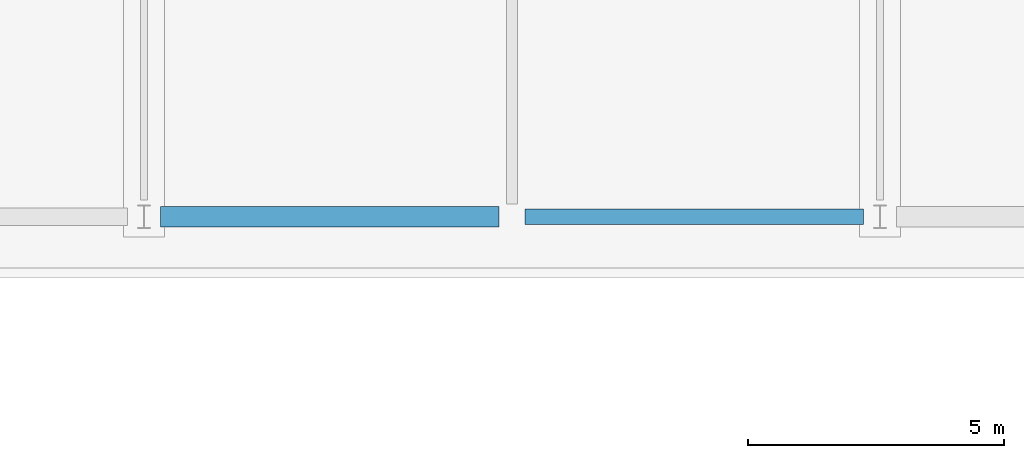
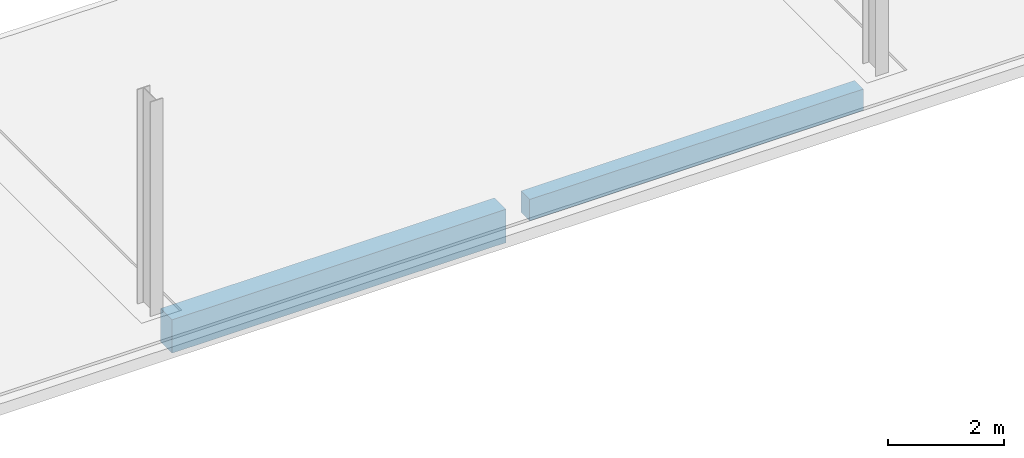
# One storey, part 34 of 134: 2 beams.
"""IFC4 building model written with IfcOpenShell, lengths in metres."""

from ifc_helpers import new_model, si_unit, direction, frame, origin, origin_2d, place, context, subcontext, project, spatial, rectangle, extrude, material, material_profile, profile_set, type_object, element, save


model = new_model("IFC4")

# Units and contexts
model_context = context("Model", 3, precision=1e-05, world=origin(), true_north=direction((0.0, 1.0)))
body_context = subcontext(model_context, "Body", "Model", "MODEL_VIEW")
ifc_project = project(units=[si_unit("LENGTHUNIT", "METRE"), si_unit("AREAUNIT", "SQUARE_METRE"), si_unit("VOLUMEUNIT", "CUBIC_METRE"), si_unit("PLANEANGLEUNIT", "RADIAN"), si_unit("MASSUNIT", "GRAM", prefix="KILO")], contexts=[model_context])

# Site, building, storey
site_placement = place(None, origin())
site = spatial("IfcSite", under=ifc_project, at=site_placement, CompositionType="ELEMENT")
building_placement = place(site_placement, origin())
building = spatial("IfcBuilding", under=site, at=building_placement, Name="Kalluvel Institute of Natural Sciences", CompositionType="ELEMENT")
storey_placement = place(building_placement, frame((0.0, 0.0, 5.39990234375)))
storey = spatial("IfcBuildingStorey", under=building, at=storey_placement, Name="L01", CompositionType="ELEMENT", Elevation=5.39990234375)

# Beams
ifc_material = material(Name="Concrete M40", Category="concrete")
ifc_material_profile_1 = material_profile(ifc_material, rectangle(XDim=0.300048828125, YDim=0.449951171875, at=origin_2d()), Name="RCB 300x450")
ifc_profile_set_1 = profile_set([ifc_material_profile_1], Name="Concrete M40")
beam_type_1 = type_object("IfcBeamType", Name="SP-RC300x450", PredefinedType="SPANDREL", material=ifc_profile_set_1)
beam_1_placement = place(storey_placement, frame((86.25, 28.39990234375, -0.46484375), z_axis=(1.0, 0.0, 0.0), x_axis=(0.0, 1.0, 0.0)))
element("IfcBeam", 1, at=beam_1_placement, inside=storey, type_object=beam_type_1, Name="L01 girder GIR-L01-EW-X860-Y284", PredefinedType="SPANDREL", context=body_context, shape_type="SweptSolid", body=[
    extrude(rectangle(XDim=0.300048828125, YDim=0.449951171875, at=origin_2d()), origin(), (0.0, 0.0, 1.0), 6.625),
])
ifc_material_profile_2 = material_profile(ifc_material, rectangle(XDim=0.39990234375, YDim=0.699951171875, at=origin_2d()), Name="RCB 400x700")
ifc_profile_set_2 = profile_set([ifc_material_profile_2], Name="Concrete M40")
beam_type_2 = type_object("IfcBeamType", Name="SP-RC400x700", PredefinedType="SPANDREL", material=ifc_profile_set_2)
beam_2_placement = place(storey_placement, frame((79.125, 28.39990234375, -0.58984375), z_axis=(1.0, 0.0, 0.0), x_axis=(0.0, 1.0, 0.0)))
element("IfcBeam", 2, at=beam_2_placement, inside=storey, type_object=beam_type_2, Name="L01 girder GIR-L01-EW-X788-Y284", PredefinedType="SPANDREL", context=body_context, shape_type="SweptSolid", body=[
    extrude(rectangle(XDim=0.39990234375, YDim=0.699951171875, at=origin_2d()), origin(), (0.0, 0.0, 1.0), 6.625),
])

save(model, "model.ifc")
